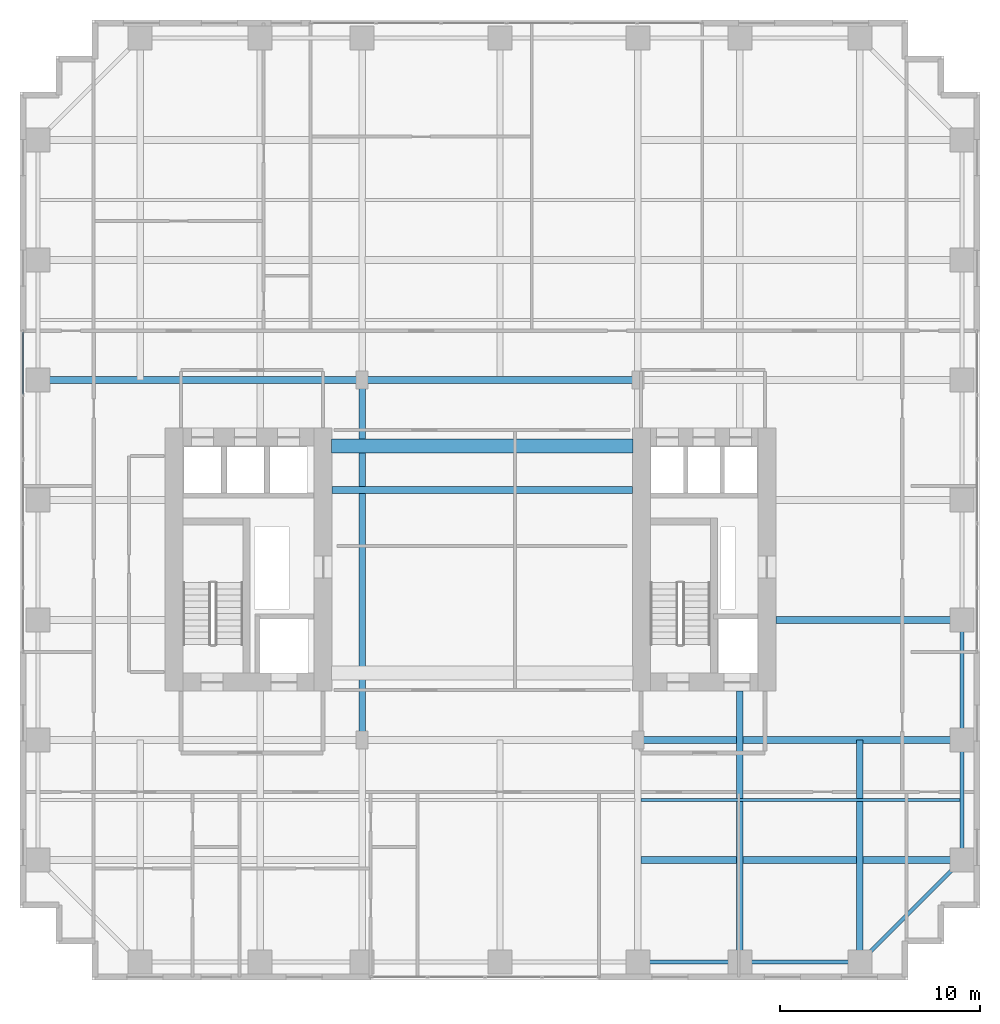
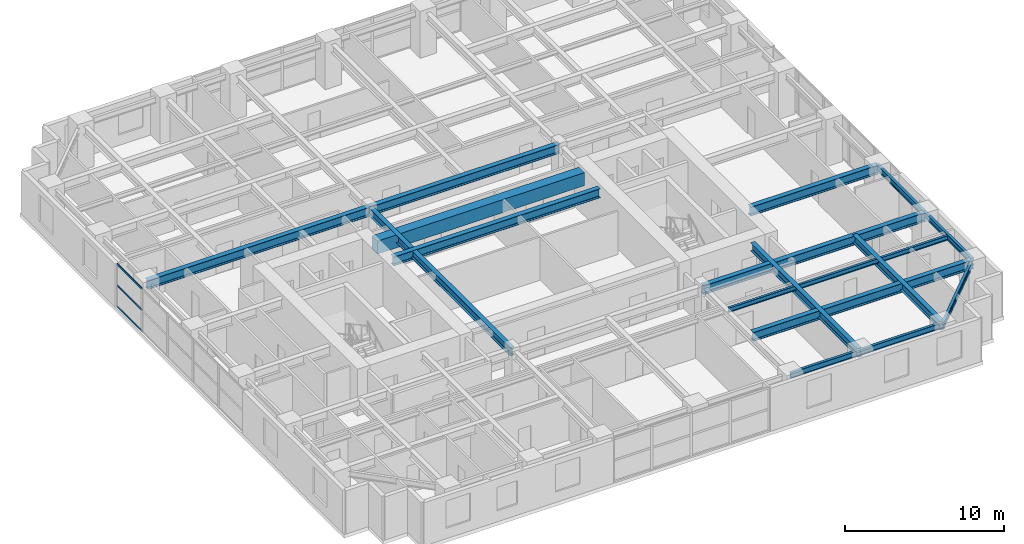
# One storey, part 6 of 24: 16 beams, 3 members, 1 element without a shape of its own.
"""IFC4 building model written with IfcOpenShell, lengths in metres."""

import ifcopenshell
import ifcopenshell.guid

model = None  # the IFC model being written
_history = None  # IfcOwnerHistory: only IFC2X3 demands one
_inside = {}  # id of a spatial element -> (the spatial element, [elements in it])
_under = {}  # id of a project, library or spatial element -> (it, [spatial elements below it])
_declared = {}  # id of a project -> (the project, [libraries it declares])
_typed = {}  # id of a type object -> (the type object, [elements of that type])
_made_of = {}  # id of a material, layer set ... -> (it, [elements and type objects made of it])


def new_model(schema):
    """Start an empty IFC model of exactly this schema.

    Asked for "IFC4X3", IfcOpenShell would pick the latest addendum, in which some entities
    have other attributes; the version numbers below select the first issue.
    IFC2X3 requires an IfcOwnerHistory on every rooted entity: one is made here for all.
    """
    global model, _history
    if schema == "IFC4X3":
        model = ifcopenshell.file(schema_version=(4, 3, 0, 0))
    else:
        model = ifcopenshell.file(schema=schema)
    _inside.clear()
    _under.clear()
    _declared.clear()
    _typed.clear()
    _made_of.clear()
    _history = None
    if model.schema == "IFC2X3":
        org = make("IfcOrganization", Name="unknown")
        user = make(
            "IfcPersonAndOrganization",
            ThePerson=make("IfcPerson", FamilyName="unknown"),
            TheOrganization=org,
        )
        app = make(
            "IfcApplication",
            ApplicationDeveloper=org,
            Version="unknown",
            ApplicationFullName="unknown",
            ApplicationIdentifier="unknown",
        )
        _history = make(
            "IfcOwnerHistory",
            OwningUser=user,
            OwningApplication=app,
            ChangeAction="ADDED",
            CreationDate=0,
        )
    return model


def make(cls, **values):
    """One entity of the class cls with the attributes given. An attribute that is None is left unset."""
    return model.create_entity(
        cls, **{name: value for name, value in values.items() if value is not None}
    )


def rooted(cls, **values):
    """An entity with a GlobalId (a new one), such as an element, a storey or a relation."""
    return make(cls, GlobalId=ifcopenshell.guid.new(), OwnerHistory=_history, **values)


def si_unit(unit_type, name, prefix=None):
    """IfcSIUnit, for example si_unit("LENGTHUNIT", "METRE", prefix="MILLI")."""
    return make("IfcSIUnit", UnitType=unit_type, Prefix=prefix, Name=name)


def assignment(units):
    """IfcUnitAssignment: the units of a project."""
    return None if units is None else make("IfcUnitAssignment", Units=units)


def point(xyz):
    """IfcCartesianPoint."""
    return None if xyz is None else make("IfcCartesianPoint", Coordinates=xyz)


def direction(xyz):
    """IfcDirection."""
    return None if xyz is None else make("IfcDirection", DirectionRatios=xyz)


def frame(location, z_axis=None, x_axis=None):
    """IfcAxis2Placement3D, a coordinate frame: its origin and axes. An axis left out is left unset."""
    return make(
        "IfcAxis2Placement3D",
        Location=point(location),
        Axis=direction(z_axis),
        RefDirection=direction(x_axis),
    )


def frame_2d(location, x_axis=None):
    """IfcAxis2Placement2D, a coordinate frame in the plane: its origin and x axis."""
    return make(
        "IfcAxis2Placement2D", Location=point(location), RefDirection=direction(x_axis)
    )


def origin():
    """The frame at (0, 0, 0) with its axes left unset."""
    return frame((0.0, 0.0, 0.0))


def origin_2d():
    """The frame at (0, 0) in the plane with its x axis left unset."""
    return frame_2d((0.0, 0.0))


def place(relative_to, where):
    """IfcLocalPlacement: puts the frame where relative to a parent placement (None: the world)."""
    return make(
        "IfcLocalPlacement", PlacementRelTo=relative_to, RelativePlacement=where
    )


def context(
    kind, dimensions, precision=None, world=None, true_north=None, identifier=None
):
    """IfcGeometricRepresentationContext, for example the 3D "Model" context."""
    return make(
        "IfcGeometricRepresentationContext",
        ContextIdentifier=identifier,
        ContextType=kind,
        CoordinateSpaceDimension=dimensions,
        Precision=precision,
        WorldCoordinateSystem=world,
        TrueNorth=true_north,
    )


def subcontext(parent, identifier, kind, view, scale=None):
    """IfcGeometricRepresentationSubContext, for example "Body" below "Model"."""
    return make(
        "IfcGeometricRepresentationSubContext",
        ContextIdentifier=identifier,
        ContextType=kind,
        ParentContext=parent,
        TargetScale=scale,
        TargetView=view,
    )


def project(units=None, contexts=None):
    """IfcProject with its units and contexts."""
    return rooted(
        "IfcProject",
        Name="project",
        RepresentationContexts=contexts,
        UnitsInContext=assignment(units),
    )


def spatial(cls, under=None, at=None, **own):
    """A site, building, storey or space (cls), placed at a placement, below another one or the project."""
    s = rooted(cls, ObjectPlacement=at, **own)
    if under is not None:
        _under.setdefault(under.id(), (under, []))[1].append(s)
    return s


def profile(cls, at=None, kind="AREA", **sizes):
    """A parametric profile (cls). Its sizes go by their IFC names, for example OverallWidth=200.0."""
    return make(cls, ProfileType=kind, Position=at, **sizes)


def rectangle(**sizes):
    """IfcRectangleProfileDef."""
    return profile("IfcRectangleProfileDef", **sizes)


def hollow_rectangle(**sizes):
    """IfcRectangleHollowProfileDef."""
    return profile("IfcRectangleHollowProfileDef", **sizes)


def i_section(**sizes):
    """IfcIShapeProfileDef."""
    return profile("IfcIShapeProfileDef", **sizes)


def extrude(swept, where, along, depth):
    """IfcExtrudedAreaSolid: the profile swept, set in the frame where, extruded along a direction by depth."""
    return make(
        "IfcExtrudedAreaSolid",
        SweptArea=swept,
        Position=where,
        ExtrudedDirection=direction(along),
        Depth=depth,
    )


def shape(context_of_items, identifier, shape_type, items):
    """IfcShapeRepresentation: the items that make up one representation, for example the "Body"."""
    return make(
        "IfcShapeRepresentation",
        ContextOfItems=context_of_items,
        RepresentationIdentifier=identifier,
        RepresentationType=shape_type,
        Items=items,
    )


def source(mapping_origin, context_of_items, identifier, shape_type, items):
    """IfcRepresentationMap: a shape defined once, which mapped items show again and again."""
    return make(
        "IfcRepresentationMap",
        MappingOrigin=mapping_origin,
        MappedRepresentation=shape(context_of_items, identifier, shape_type, items),
    )


def transform(
    local_origin,
    x_axis=None,
    y_axis=None,
    z_axis=None,
    scale=None,
    scale2=None,
    scale3=None,
    uniform=True,
):
    """IfcCartesianTransformationOperator3D, or its non-uniform kind. x_axis, y_axis, z_axis: its Axis1, 2, 3."""
    if uniform:
        return make(
            "IfcCartesianTransformationOperator3D",
            Axis1=direction(x_axis),
            Axis2=direction(y_axis),
            LocalOrigin=point(local_origin),
            Scale=scale,
            Axis3=direction(z_axis),
        )
    return make(
        "IfcCartesianTransformationOperator3DnonUniform",
        Axis1=direction(x_axis),
        Axis2=direction(y_axis),
        LocalOrigin=point(local_origin),
        Scale=scale,
        Axis3=direction(z_axis),
        Scale2=scale2,
        Scale3=scale3,
    )


def mapped(mapping_source, mapping_target):
    """IfcMappedItem: shows the shape of a source again, moved by a transform."""
    return make(
        "IfcMappedItem", MappingSource=mapping_source, MappingTarget=mapping_target
    )


def material(Name=None, Category=None):
    """IfcMaterial."""
    return make("IfcMaterial", Name=Name, Category=Category)


def layer(
    of_material, thickness, ventilated=None, Name=None, Category=None, Priority=None
):
    """IfcMaterialLayer: one layer of a wall or slab, of a material (None: an air gap)."""
    return make(
        "IfcMaterialLayer",
        Material=of_material,
        LayerThickness=thickness,
        IsVentilated=ventilated,
        Name=Name,
        Category=Category,
        Priority=Priority,
    )


def layer_set(layers, Name=None):
    """IfcMaterialLayerSet."""
    return make("IfcMaterialLayerSet", MaterialLayers=layers, LayerSetName=Name)


def material_profile(
    of_material, cross_section, Name=None, Category=None, Priority=None
):
    """IfcMaterialProfile: a cross section and its material."""
    return make(
        "IfcMaterialProfile",
        Name=Name,
        Material=of_material,
        Profile=cross_section,
        Priority=Priority,
        Category=Category,
    )


def profile_set(profiles, Name=None, composite=None):
    """IfcMaterialProfileSet."""
    return make(
        "IfcMaterialProfileSet",
        Name=Name,
        MaterialProfiles=profiles,
        CompositeProfile=composite,
    )


def made_of(thing, what):
    """Note that an element or type object is made of a material, layer set ...; save() writes the relation."""
    if what is not None:
        _made_of.setdefault(what.id(), (what, []))[1].append(thing)
    return thing


def type_object(cls, material=None, **own):
    """A type object (cls), such as IfcWallType, which elements share."""
    return made_of(rooted(cls, **own), material)


def element(
    cls,
    number,
    at=None,
    inside=None,
    cuts=None,
    type_object=None,
    material=None,
    context=None,
    identifier="Body",
    shape_type=None,
    held_by="IfcProductDefinitionShape",
    body=None,
    shapes=None,
    **own,
):
    """One element of the class cls, such as IfcWall. Its Tag is "e" and its number.

    at: its placement. inside: the storey or other place that contains it. cuts: it is an
    opening in that element (IfcRelVoidsElement). A single representation is given by context,
    identifier, shape_type and body (its items); several are given by shapes. held_by: the class
    of the entity that holds the representations. save() writes the other relations.
    """
    e = rooted(cls, Tag="e%d" % number, ObjectPlacement=at, **own)
    if body is not None:
        shapes = [shape(context, identifier, shape_type, body)]
    if shapes is not None:
        e.Representation = make(held_by, Representations=shapes)
    if inside is not None:
        _inside.setdefault(inside.id(), (inside, []))[1].append(e)
    if cuts is not None:
        rooted(
            "IfcRelVoidsElement", RelatingBuildingElement=cuts, RelatedOpeningElement=e
        )
    if type_object is not None:
        _typed.setdefault(type_object.id(), (type_object, []))[1].append(e)
    return made_of(e, material)


def aggregate(whole, parts):
    """IfcRelAggregates: a whole, such as a stair, and the parts it consists of."""
    return rooted("IfcRelAggregates", RelatingObject=whole, RelatedObjects=parts)


def save(model, path):
    """Write the relations noted so far, then the file.

    IfcRelAggregates (storeys below a building ...), IfcRelContainedInSpatialStructure (elements
    in a storey), IfcRelDefinesByType, IfcRelAssociatesMaterial and IfcRelDeclares: one each for
    every whole, place, type object, material and project.
    """
    for whole, parts in _under.values():
        aggregate(whole, parts)
    for where, things in _inside.values():
        rooted(
            "IfcRelContainedInSpatialStructure",
            RelatedElements=things,
            RelatingStructure=where,
        )
    for kind, things in _typed.values():
        rooted("IfcRelDefinesByType", RelatedObjects=things, RelatingType=kind)
    for what, things in _made_of.values():
        rooted("IfcRelAssociatesMaterial", RelatedObjects=things, RelatingMaterial=what)
    for by, libraries in _declared.values():
        rooted("IfcRelDeclares", RelatingContext=by, RelatedDefinitions=libraries)
    model.write(path)


model = new_model("IFC4")

# Units and contexts
model_context = context("Model", 3, precision=1e-05, world=origin(), true_north=direction((0.0, 1.0)))
body_context = subcontext(model_context, "Body", "Model", "MODEL_VIEW")
ifc_project = project(units=[si_unit("LENGTHUNIT", "METRE"), si_unit("AREAUNIT", "SQUARE_METRE"), si_unit("VOLUMEUNIT", "CUBIC_METRE"), si_unit("PLANEANGLEUNIT", "RADIAN"), si_unit("MASSUNIT", "GRAM", prefix="KILO")], contexts=[model_context])

# Site, building, storey
site_placement = place(None, origin())
site = spatial("IfcSite", under=ifc_project, at=site_placement, CompositionType="ELEMENT")
building_placement = place(site_placement, origin())
building = spatial("IfcBuilding", under=site, at=building_placement, Name="Khoralis Quay Care Tower", CompositionType="ELEMENT")
storey_placement = place(building_placement, frame((0.0, 0.0, 62.10009765625)))
storey = spatial("IfcBuildingStorey", under=building, at=storey_placement, Name="L16", CompositionType="ELEMENT", Elevation=62.10009765625)

# Beams
ifc_material_1 = material(Name="Concrete C80/95", Category="concrete")
ifc_material_profile_1 = material_profile(ifc_material_1, rectangle(XDim=0.699951171875, YDim=1.0, at=origin_2d()), Name="Concrete C80/95")
ifc_profile_set_1 = profile_set([ifc_material_profile_1], Name="Concrete C80/95")
beam_type_1 = type_object("IfcBeamType", Name="CB-RC700X1000", PredefinedType="LINTEL", material=ifc_profile_set_1)
shared_shape_1 = source(origin(), body_context, "Body", "SweptSolid", [
    extrude(rectangle(XDim=0.699951171875, YDim=1.0, at=origin_2d()), origin(), (0.0, 0.0, 1.0), 15.079833984375),
])
beam_1_placement = place(storey_placement, frame((15.570068359375, 26.699951171875, 2.81982421875), z_axis=(1.0, 0.0, 0.0), x_axis=(0.0, 1.0, 0.0)))
element("IfcBeam", 1, at=beam_1_placement, inside=storey, type_object=beam_type_1, Name="L16 North Core Coupling Lintel", PredefinedType="LINTEL", context=body_context, shape_type="MappedRepresentation", body=[
    mapped(shared_shape_1, transform((0.0, 0.0, 0.0), scale=1.0)),
])
ifc_material_2 = material(Name="Steel S355", Category="steel")
ifc_material_profile_2 = material_profile(ifc_material_2, i_section(OverallWidth=0.18994140625, OverallDepth=0.449951171875, WebThickness=0.009521484375, FlangeThickness=0.0146484375, FilletRadius=0.02099609375, at=origin_2d()), Name="Steel S355")
ifc_profile_set_2 = profile_set([ifc_material_profile_2], Name="Steel S355")
beam_type_2 = type_object("IfcBeamType", Name="BM-IPE450", PredefinedType="SPANDREL", material=ifc_profile_set_2)
shared_shape_2 = source(origin(), body_context, "Body", "SweptSolid", [
    extrude(i_section(OverallWidth=0.18994140625, OverallDepth=0.449951171875, WebThickness=0.009521484375, FlangeThickness=0.0146484375, FilletRadius=0.02099609375, at=origin_2d()), origin(), (0.0, 0.0, 1.0), 6.0),
])
for number, where, z_axis, x_axis, name in (
    (2, (36.0, 0.89990234375, 3.094970703125), (1.0, 0.0, 0.0), (0.0, 1.0, 0.0), "BM-TSP-L16-06"),
    (3, (47.10009765625, 6.0, 3.094970703125), (0.0, 1.0, 0.0), (-1.0, 0.0, 0.0), "BM-TSP-L16-19"),
    (4, (47.10009765625, 12.0, 3.094970703125), (0.0, 1.0, 0.0), (-1.0, 0.0, 0.0), "BM-TSP-L16-20"),
):
    element("IfcBeam", number, at=place(storey_placement, frame(where, z_axis=z_axis, x_axis=x_axis)), inside=storey, type_object=beam_type_2, Name=name, PredefinedType="SPANDREL", context=body_context, shape_type="MappedRepresentation", body=[
        mapped(shared_shape_2, transform((0.0, 0.0, 0.0), scale=1.0)),
    ])
shared_shape_3 = source(origin(), body_context, "Body", "SweptSolid", [
    extrude(i_section(OverallWidth=0.18994140625, OverallDepth=0.449951171875, WebThickness=0.009521484375, FlangeThickness=0.0146484375, FilletRadius=0.02099609375, at=origin_2d()), origin(), (0.0, 0.0, 1.0), 5.10009765625),
])
beam_2_placement = place(storey_placement, frame((30.89990234375, 0.89990234375, 3.094970703125), z_axis=(1.0, 0.0, 0.0), x_axis=(0.0, 1.0, 0.0)))
element("IfcBeam", 5, at=beam_2_placement, inside=storey, type_object=beam_type_2, Name="BM-TSP-L16-05", PredefinedType="SPANDREL", context=body_context, shape_type="MappedRepresentation", body=[
    mapped(shared_shape_3, transform((0.0, 0.0, 0.0), scale=1.0)),
])
shared_shape_4 = source(origin(), body_context, "Body", "SweptSolid", [
    extrude(i_section(OverallWidth=0.18994140625, OverallDepth=0.449951171875, WebThickness=0.009521484375, FlangeThickness=0.0146484375, FilletRadius=0.02099609375, at=origin_2d()), origin(), (0.0, 0.0, 1.0), 7.212646484375),
])
beam_3_placement = place(storey_placement, frame((42.0, 0.89990234375, 3.094970703125), z_axis=(0.707106781187, 0.707106781187, 0.0), x_axis=(-0.707106781187, 0.707106781187, 0.0)))
element("IfcBeam", 6, at=beam_3_placement, inside=storey, type_object=beam_type_2, Name="BM-TCR-L16-26", PredefinedType="SPANDREL", context=body_context, shape_type="MappedRepresentation", body=[
    mapped(shared_shape_4, transform((0.0, 0.0, 0.0), scale=1.0)),
])
ifc_material_profile_3 = material_profile(ifc_material_2, i_section(OverallWidth=0.35498046875, OverallDepth=0.695068359375, WebThickness=0.015380859375, FlangeThickness=0.02490234375, FilletRadius=0.02001953125, at=origin_2d()), Name="Steel S355")
ifc_profile_set_3 = profile_set([ifc_material_profile_3], Name="Steel S355")
beam_type_3 = type_object("IfcBeamType", Name="BM-W690X217", PredefinedType="BEAM", material=ifc_profile_set_3)
shared_shape_5 = source(origin(), body_context, "Body", "SweptSolid", [
    extrude(i_section(OverallWidth=0.35498046875, OverallDepth=0.695068359375, WebThickness=0.015380859375, FlangeThickness=0.02490234375, FilletRadius=0.02001953125, at=origin_2d()), origin(), (0.0, 0.0, 1.0), 16.049560546875),
])
beam_4_placement = place(storey_placement, frame((31.050537109375, 6.0, 2.972412109375), z_axis=(1.0, 0.0, 0.0), x_axis=(0.0, 1.0, 0.0)))
element("IfcBeam", 7, at=beam_4_placement, inside=storey, type_object=beam_type_3, Name="BM-TGXE-L16-60", PredefinedType="BEAM", context=body_context, shape_type="MappedRepresentation", body=[
    mapped(shared_shape_5, transform((0.0, 0.0, 0.0), scale=1.0)),
])
shared_shape_6 = source(origin(), body_context, "Body", "SweptSolid", [
    extrude(i_section(OverallWidth=0.35498046875, OverallDepth=0.695068359375, WebThickness=0.015380859375, FlangeThickness=0.02490234375, FilletRadius=0.02001953125, at=origin_2d()), origin(), (0.0, 0.0, 1.0), 16.2001953125),
])
for number, where, z_axis, x_axis, name in (
    (8, (0.89990234375, 30.0, 2.972412109375), (1.0, 0.0, 0.0), (0.0, 1.0, 0.0), "BM-TGXW-L16-300"),
    (9, (30.89990234375, 12.0, 2.972412109375), (1.0, 0.0, 0.0), (0.0, 1.0, 0.0), "BM-TGXE-L16-120"),
):
    element("IfcBeam", number, at=place(storey_placement, frame(where, z_axis=z_axis, x_axis=x_axis)), inside=storey, type_object=beam_type_3, Name=name, PredefinedType="BEAM", context=body_context, shape_type="MappedRepresentation", body=[
        mapped(shared_shape_6, transform((0.0, 0.0, 0.0), scale=1.0)),
    ])
shared_shape_7 = source(origin(), body_context, "Body", "SweptSolid", [
    extrude(i_section(OverallWidth=0.35498046875, OverallDepth=0.695068359375, WebThickness=0.015380859375, FlangeThickness=0.02490234375, FilletRadius=0.02001953125, at=origin_2d()), origin(), (0.0, 0.0, 1.0), 9.302001953125),
])
beam_5_placement = place(storey_placement, frame((37.798095703125, 18.0, 2.972412109375), z_axis=(1.0, 0.0, 0.0), x_axis=(0.0, 1.0, 0.0)))
element("IfcBeam", 10, at=beam_5_placement, inside=storey, type_object=beam_type_3, Name="BM-TGXE-L16-180", PredefinedType="BEAM", context=body_context, shape_type="MappedRepresentation", body=[
    mapped(shared_shape_7, transform((0.0, 0.0, 0.0), scale=1.0)),
])
shared_shape_8 = source(origin(), body_context, "Body", "SweptSolid", [
    extrude(i_section(OverallWidth=0.35498046875, OverallDepth=0.695068359375, WebThickness=0.015380859375, FlangeThickness=0.02490234375, FilletRadius=0.02001953125, at=origin_2d()), origin(), (0.0, 0.0, 1.0), 13.7998046875),
])
beam_6_placement = place(storey_placement, frame((17.10009765625, 30.0, 2.972412109375), z_axis=(1.0, 0.0, 0.0), x_axis=(0.0, 1.0, 0.0)))
element("IfcBeam", 11, at=beam_6_placement, inside=storey, type_object=beam_type_3, Name="BM-TGCC-L16-300", PredefinedType="BEAM", context=body_context, shape_type="MappedRepresentation", body=[
    mapped(shared_shape_8, transform((0.0, 0.0, 0.0), scale=1.0)),
])
shared_shape_9 = source(origin(), body_context, "Body", "SweptSolid", [
    extrude(i_section(OverallWidth=0.35498046875, OverallDepth=0.695068359375, WebThickness=0.015380859375, FlangeThickness=0.02490234375, FilletRadius=0.02001953125, at=origin_2d()), origin(), (0.0, 0.0, 1.0), 15.024169921875),
])
beam_7_placement = place(storey_placement, frame((15.597900390625, 24.5, 2.972412109375), z_axis=(1.0, 0.0, 0.0), x_axis=(0.0, 1.0, 0.0)))
element("IfcBeam", 12, at=beam_7_placement, inside=storey, type_object=beam_type_3, Name="BM-TGCC-L16-245", PredefinedType="BEAM", context=body_context, shape_type="MappedRepresentation", body=[
    mapped(shared_shape_9, transform((0.0, 0.0, 0.0), scale=1.0)),
])
ifc_material_profile_4 = material_profile(ifc_material_2, i_section(OverallWidth=0.324951171875, OverallDepth=0.615966796875, WebThickness=0.013916015625, FlangeThickness=0.021484375, FilletRadius=0.01806640625, at=origin_2d()), Name="Steel S355")
ifc_profile_set_4 = profile_set([ifc_material_profile_4], Name="Steel S355")
beam_type_4 = type_object("IfcBeamType", Name="BM-W610X174", PredefinedType="BEAM", material=ifc_profile_set_4)
shared_shape_10 = source(origin(), body_context, "Body", "SweptSolid", [
    extrude(i_section(OverallWidth=0.324951171875, OverallDepth=0.615966796875, WebThickness=0.013916015625, FlangeThickness=0.021484375, FilletRadius=0.01806640625, at=origin_2d()), origin(), (0.0, 0.0, 1.0), 11.10009765625),
])
beam_8_placement = place(storey_placement, frame((42.0, 0.89990234375, 3.011962890625), z_axis=(0.0, 1.0, 0.0), x_axis=(-1.0, 0.0, 0.0)))
element("IfcBeam", 13, at=beam_8_placement, inside=storey, type_object=beam_type_4, Name="BM-TGYS-L16-420", PredefinedType="BEAM", context=body_context, shape_type="MappedRepresentation", body=[
    mapped(shared_shape_10, transform((0.0, 0.0, 0.0), scale=1.0)),
])
shared_shape_11 = source(origin(), body_context, "Body", "SweptSolid", [
    extrude(i_section(OverallWidth=0.324951171875, OverallDepth=0.615966796875, WebThickness=0.013916015625, FlangeThickness=0.021484375, FilletRadius=0.01806640625, at=origin_2d()), origin(), (0.0, 0.0, 1.0), 13.552001953125),
])
beam_9_placement = place(storey_placement, frame((36.0, 0.89990234375, 3.011962890625), z_axis=(0.0, 1.0, 0.0), x_axis=(-1.0, 0.0, 0.0)))
element("IfcBeam", 14, at=beam_9_placement, inside=storey, type_object=beam_type_4, Name="BM-TGYS-L16-360", PredefinedType="BEAM", context=body_context, shape_type="MappedRepresentation", body=[
    mapped(shared_shape_11, transform((0.0, 0.0, 0.0), scale=1.0)),
])
shared_shape_12 = source(origin(), body_context, "Body", "SweptSolid", [
    extrude(i_section(OverallWidth=0.324951171875, OverallDepth=0.615966796875, WebThickness=0.013916015625, FlangeThickness=0.021484375, FilletRadius=0.01806640625, at=origin_2d()), origin(), (0.0, 0.0, 1.0), 18.0),
])
beam_10_placement = place(storey_placement, frame((17.10009765625, 12.0, 3.011962890625), z_axis=(0.0, 1.0, 0.0), x_axis=(-1.0, 0.0, 0.0)))
element("IfcBeam", 15, at=beam_10_placement, inside=storey, type_object=beam_type_4, Name="BM-TGSW-L16", PredefinedType="BEAM", context=body_context, shape_type="MappedRepresentation", body=[
    mapped(shared_shape_12, transform((0.0, 0.0, 0.0), scale=1.0)),
])
ifc_material_profile_5 = material_profile(ifc_material_2, i_section(OverallWidth=0.1708984375, OverallDepth=0.35498046875, WebThickness=0.007080078125, FlangeThickness=0.01171875, FilletRadius=0.012939453125, at=origin_2d()), Name="Steel S355")
ifc_profile_set_5 = profile_set([ifc_material_profile_5], Name="Steel S355")
beam_type_5 = type_object("IfcBeamType", Name="BM-W360X51", PredefinedType="JOIST", material=ifc_profile_set_5)
shared_shape_13 = source(origin(), body_context, "Body", "SweptSolid", [
    extrude(i_section(OverallWidth=0.1708984375, OverallDepth=0.35498046875, WebThickness=0.007080078125, FlangeThickness=0.01171875, FilletRadius=0.012939453125, at=origin_2d()), origin(), (0.0, 0.0, 1.0), 15.968505859375),
])
beam_11_placement = place(storey_placement, frame((31.050537109375, 9.0, 3.142333984375), z_axis=(1.0, 0.0, 0.0), x_axis=(0.0, 1.0, 0.0)))
element("IfcBeam", 16, at=beam_11_placement, inside=storey, type_object=beam_type_5, Name="BM-TJS-L16-30", PredefinedType="JOIST", context=body_context, shape_type="MappedRepresentation", body=[
    mapped(shared_shape_13, transform((0.0, 0.0, 0.0), scale=1.0)),
])

# Curtain wall, members
ifc_material_3 = material(Name="Pale anodised aluminium", Category="aluminium")
ifc_layer = layer(ifc_material_3, 0.179931640625)
ifc_layer_set = layer_set([ifc_layer], Name="Pale anodised aluminium")
curtain_wall_type = type_object("IfcCurtainWallType", Name="CW-SYS-Z1", PredefinedType="NOTDEFINED", material=ifc_layer_set)
curtain_wall_placement = place(storey_placement, origin())
curtain_wall = element("IfcCurtainWall", 17, at=curtain_wall_placement, inside=storey, type_object=curtain_wall_type, Name="L16 Unitised Curtain Wall CW-L16-P1-E15", PredefinedType="NOTDEFINED")
ifc_material_profile_6 = material_profile(ifc_material_3, hollow_rectangle(XDim=0.06005859375, YDim=0.139892578125, WallThickness=0.00390625, at=origin_2d()), Name="Pale anodised aluminium")
ifc_profile_set_6 = profile_set([ifc_material_profile_6], Name="Pale anodised aluminium")
member_type = type_object("IfcMemberType", Name="CW-TRN-140", PredefinedType="USERDEFINED", material=ifc_profile_set_6)
shared_shape_14 = source(origin(), body_context, "Body", "SweptSolid", [
    extrude(hollow_rectangle(XDim=0.06005859375, YDim=0.139892578125, WallThickness=0.00390625, at=origin_2d()), origin(), (0.0, 0.0, 1.0), 3.121826171875),
])
member_1_placement = place(storey_placement, frame((0.14990234375, 32.39990234375, 0.02978515625), z_axis=(0.0, -1.0, 0.0), x_axis=(1.0, 0.0, 0.0)))
member_1 = element("IfcMember", 18, at=member_1_placement, type_object=member_type, Name="CW1 transom 1.1", ObjectType="TRANSOM", PredefinedType="USERDEFINED", context=body_context, shape_type="MappedRepresentation", body=[
    mapped(shared_shape_14, transform((0.0, 0.0, 0.0), scale=1.0)),
])
member_2_placement = place(storey_placement, frame((0.14990234375, 32.39990234375, 1.659912109375), z_axis=(0.0, -1.0, 0.0), x_axis=(1.0, 0.0, 0.0)))
member_2 = element("IfcMember", 19, at=member_2_placement, type_object=member_type, Name="CW1 transom 1.2", ObjectType="TRANSOM", PredefinedType="USERDEFINED", context=body_context, shape_type="MappedRepresentation", body=[
    mapped(shared_shape_14, transform((0.0, 0.0, 0.0), scale=1.0)),
])
member_3_placement = place(storey_placement, frame((0.14990234375, 32.39990234375, 3.289794921875), z_axis=(0.0, -1.0, 0.0), x_axis=(1.0, 0.0, 0.0)))
member_3 = element("IfcMember", 20, at=member_3_placement, type_object=member_type, Name="CW1 transom 1.3", ObjectType="TRANSOM", PredefinedType="USERDEFINED", context=body_context, shape_type="MappedRepresentation", body=[
    mapped(shared_shape_14, transform((0.0, 0.0, 0.0), scale=1.0)),
])
aggregate(curtain_wall, [member_1, member_2, member_3])

save(model, "model.ifc")
